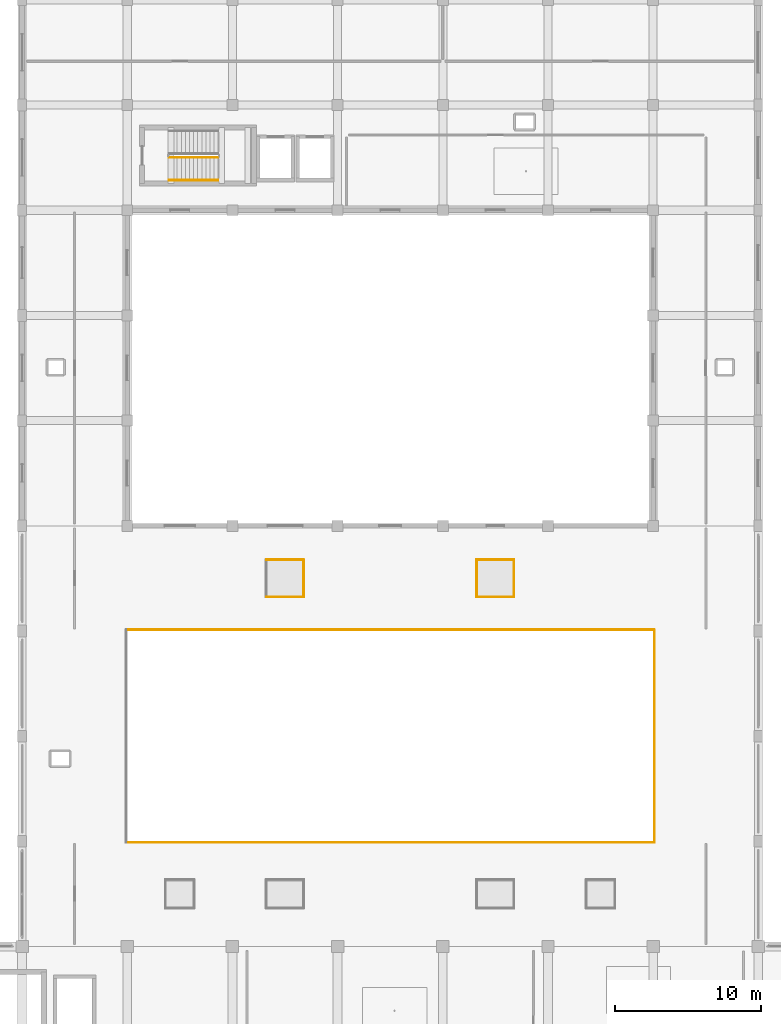
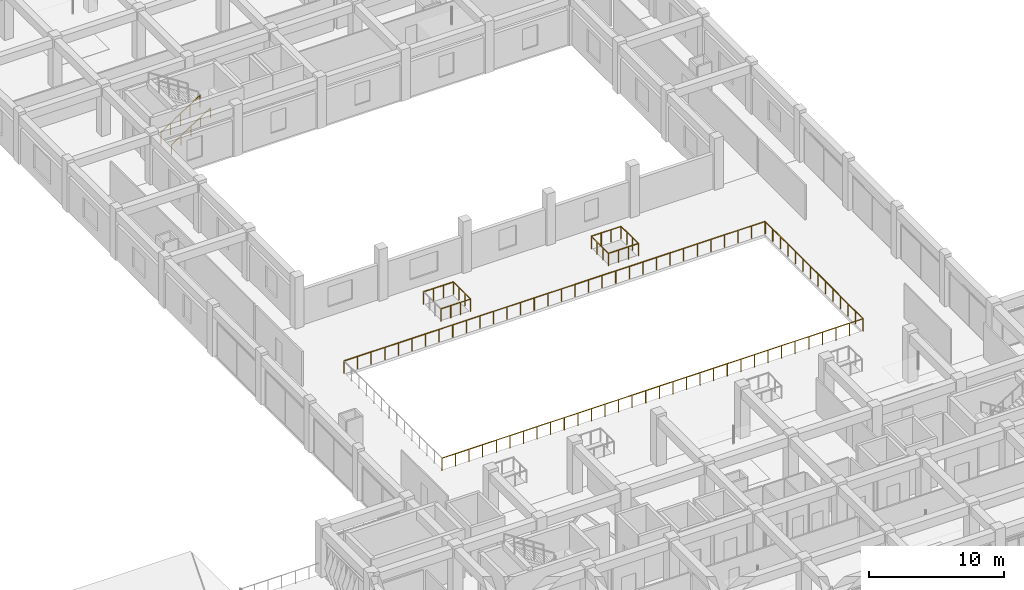
# One storey, part 53 of 55: 12 railings.
"""IFC4 building model written with IfcOpenShell, lengths in metres."""

from ifc_helpers import new_model, si_unit, direction, frame, origin, origin_2d, place, context, subcontext, project, spatial, circle, extrude, material, type_object, element, save


model = new_model("IFC4")

# Units and contexts
model_context = context("Model", 3, precision=1e-05, world=origin(), true_north=direction((0.0, 1.0)))
body_context = subcontext(model_context, "Body", "Model", "MODEL_VIEW")
ifc_project = project(units=[si_unit("LENGTHUNIT", "METRE"), si_unit("AREAUNIT", "SQUARE_METRE"), si_unit("VOLUMEUNIT", "CUBIC_METRE"), si_unit("PLANEANGLEUNIT", "RADIAN"), si_unit("MASSUNIT", "GRAM", prefix="KILO")], contexts=[model_context])

# Site, building, storey
site_placement = place(None, origin())
site = spatial("IfcSite", under=ifc_project, at=site_placement, CompositionType="ELEMENT")
building_placement = place(site_placement, origin())
building = spatial("IfcBuilding", under=site, at=building_placement, Name="Kazehaya Institute of Natural Sciences", CompositionType="ELEMENT")
storey_placement = place(building_placement, frame((0.0, 0.0, 15.1201171875)))
storey = spatial("IfcBuildingStorey", under=building, at=storey_placement, Name="L03", CompositionType="ELEMENT", Elevation=15.1201171875)

# Railings
ifc_material_1 = material(Name="Structural steel SN490B", Category="steel")
railing_type_1 = type_object("IfcRailingType", Name="RL-GUARD-VOID", PredefinedType="GUARDRAIL", material=ifc_material_1)
railing_1_placement = place(storey_placement, frame((78.52001953125, 59.52001953125, 0.0)))
element("IfcRailing", 1, at=railing_1_placement, inside=storey, type_object=railing_type_1, Name="L03 skylight 05 perimeter guard 1", PredefinedType="GUARDRAIL", context=body_context, shape_type="SweptSolid", body=[
    extrude(circle(Radius=0.02392578125, at=origin_2d()), frame((0.0, 0.0, 1.1259765625), z_axis=(1.0, 0.0, 0.0), x_axis=(0.0, 1.0, 0.0)), (0.0, 0.0, 1.0), 2.56005859375),
    extrude(circle(Radius=0.02099609375, at=origin_2d()), origin(), (0.0, 0.0, 1.0), 1.101806640625),
    extrude(circle(Radius=0.02099609375, at=origin_2d()), frame((0.853271484375, 0.0, 0.0)), (0.0, 0.0, 1.0), 1.101806640625),
    extrude(circle(Radius=0.02099609375, at=origin_2d()), frame((1.706787109375, 0.0, 0.0)), (0.0, 0.0, 1.0), 1.101806640625),
    extrude(circle(Radius=0.02099609375, at=origin_2d()), frame((2.56005859375, 0.0, 0.0)), (0.0, 0.0, 1.0), 1.101806640625),
])
railing_2_placement = place(storey_placement, frame((81.080078125, 59.52001953125, 0.0)))
element("IfcRailing", 2, at=railing_2_placement, inside=storey, type_object=railing_type_1, Name="L03 skylight 05 perimeter guard 2", PredefinedType="GUARDRAIL", context=body_context, shape_type="SweptSolid", body=[
    extrude(circle(Radius=0.02392578125, at=origin_2d()), frame((0.0, 0.0, 1.1259765625), z_axis=(0.0, 1.0, 0.0), x_axis=(-1.0, 0.0, 0.0)), (0.0, 0.0, 1.0), 2.56005859375),
    extrude(circle(Radius=0.02099609375, at=origin_2d()), origin(), (0.0, 0.0, 1.0), 1.101806640625),
    extrude(circle(Radius=0.02099609375, at=origin_2d()), frame((0.0, 0.853271484375, 0.0)), (0.0, 0.0, 1.0), 1.101806640625),
    extrude(circle(Radius=0.02099609375, at=origin_2d()), frame((0.0, 1.706787109375, 0.0)), (0.0, 0.0, 1.0), 1.101806640625),
    extrude(circle(Radius=0.02099609375, at=origin_2d()), frame((0.0, 2.56005859375, 0.0)), (0.0, 0.0, 1.0), 1.101806640625),
])
railing_3_placement = place(storey_placement, frame((81.080078125, 62.080078125, 0.0)))
element("IfcRailing", 3, at=railing_3_placement, inside=storey, type_object=railing_type_1, Name="L03 skylight 05 perimeter guard 3", PredefinedType="GUARDRAIL", context=body_context, shape_type="SweptSolid", body=[
    extrude(circle(Radius=0.02392578125, at=origin_2d()), frame((0.0, 0.0, 1.1259765625), z_axis=(-1.0, 0.0, 0.0), x_axis=(0.0, -1.0, 0.0)), (0.0, 0.0, 1.0), 2.56005859375),
    extrude(circle(Radius=0.02099609375, at=origin_2d()), origin(), (0.0, 0.0, 1.0), 1.101806640625),
    extrude(circle(Radius=0.02099609375, at=origin_2d()), frame((-0.853271484375, 0.0, 0.0)), (0.0, 0.0, 1.0), 1.101806640625),
    extrude(circle(Radius=0.02099609375, at=origin_2d()), frame((-1.706787109375, 0.0, 0.0)), (0.0, 0.0, 1.0), 1.101806640625),
    extrude(circle(Radius=0.02099609375, at=origin_2d()), frame((-2.56005859375, 0.0, 0.0)), (0.0, 0.0, 1.0), 1.101806640625),
])
railing_4_placement = place(storey_placement, frame((92.919921875, 59.52001953125, 0.0)))
element("IfcRailing", 4, at=railing_4_placement, inside=storey, type_object=railing_type_1, Name="L03 skylight 06 perimeter guard 1", PredefinedType="GUARDRAIL", context=body_context, shape_type="SweptSolid", body=[
    extrude(circle(Radius=0.02392578125, at=origin_2d()), frame((0.0, 0.0, 1.1259765625), z_axis=(1.0, 0.0, 0.0), x_axis=(0.0, 1.0, 0.0)), (0.0, 0.0, 1.0), 2.56005859375),
    extrude(circle(Radius=0.02099609375, at=origin_2d()), origin(), (0.0, 0.0, 1.0), 1.101806640625),
    extrude(circle(Radius=0.02099609375, at=origin_2d()), frame((0.853271484375, 0.0, 0.0)), (0.0, 0.0, 1.0), 1.101806640625),
    extrude(circle(Radius=0.02099609375, at=origin_2d()), frame((1.706787109375, 0.0, 0.0)), (0.0, 0.0, 1.0), 1.101806640625),
    extrude(circle(Radius=0.02099609375, at=origin_2d()), frame((2.56005859375, 0.0, 0.0)), (0.0, 0.0, 1.0), 1.101806640625),
])
railing_5_placement = place(storey_placement, frame((95.47998046875, 59.52001953125, 0.0)))
element("IfcRailing", 5, at=railing_5_placement, inside=storey, type_object=railing_type_1, Name="L03 skylight 06 perimeter guard 2", PredefinedType="GUARDRAIL", context=body_context, shape_type="SweptSolid", body=[
    extrude(circle(Radius=0.02392578125, at=origin_2d()), frame((0.0, 0.0, 1.1259765625), z_axis=(0.0, 1.0, 0.0), x_axis=(-1.0, 0.0, 0.0)), (0.0, 0.0, 1.0), 2.56005859375),
    extrude(circle(Radius=0.02099609375, at=origin_2d()), origin(), (0.0, 0.0, 1.0), 1.101806640625),
    extrude(circle(Radius=0.02099609375, at=origin_2d()), frame((0.0, 0.853271484375, 0.0)), (0.0, 0.0, 1.0), 1.101806640625),
    extrude(circle(Radius=0.02099609375, at=origin_2d()), frame((0.0, 1.706787109375, 0.0)), (0.0, 0.0, 1.0), 1.101806640625),
    extrude(circle(Radius=0.02099609375, at=origin_2d()), frame((0.0, 2.56005859375, 0.0)), (0.0, 0.0, 1.0), 1.101806640625),
])
railing_6_placement = place(storey_placement, frame((95.47998046875, 62.080078125, 0.0)))
element("IfcRailing", 6, at=railing_6_placement, inside=storey, type_object=railing_type_1, Name="L03 skylight 06 perimeter guard 3", PredefinedType="GUARDRAIL", context=body_context, shape_type="SweptSolid", body=[
    extrude(circle(Radius=0.02392578125, at=origin_2d()), frame((0.0, 0.0, 1.1259765625), z_axis=(-1.0, 0.0, 0.0), x_axis=(0.0, -1.0, 0.0)), (0.0, 0.0, 1.0), 2.56005859375),
    extrude(circle(Radius=0.02099609375, at=origin_2d()), origin(), (0.0, 0.0, 1.0), 1.101806640625),
    extrude(circle(Radius=0.02099609375, at=origin_2d()), frame((-0.853271484375, 0.0, 0.0)), (0.0, 0.0, 1.0), 1.101806640625),
    extrude(circle(Radius=0.02099609375, at=origin_2d()), frame((-1.706787109375, 0.0, 0.0)), (0.0, 0.0, 1.0), 1.101806640625),
    extrude(circle(Radius=0.02099609375, at=origin_2d()), frame((-2.56005859375, 0.0, 0.0)), (0.0, 0.0, 1.0), 1.101806640625),
])
railing_7_placement = place(storey_placement, frame((92.919921875, 62.080078125, 0.0)))
element("IfcRailing", 7, at=railing_7_placement, inside=storey, type_object=railing_type_1, Name="L03 skylight 06 perimeter guard 4", PredefinedType="GUARDRAIL", context=body_context, shape_type="SweptSolid", body=[
    extrude(circle(Radius=0.02392578125, at=origin_2d()), frame((0.0, 0.0, 1.1259765625), z_axis=(0.0, -1.0, 0.0), x_axis=(1.0, 0.0, 0.0)), (0.0, 0.0, 1.0), 2.56005859375),
    extrude(circle(Radius=0.02099609375, at=origin_2d()), origin(), (0.0, 0.0, 1.0), 1.101806640625),
    extrude(circle(Radius=0.02099609375, at=origin_2d()), frame((0.0, -0.853271484375, 0.0)), (0.0, 0.0, 1.0), 1.101806640625),
    extrude(circle(Radius=0.02099609375, at=origin_2d()), frame((0.0, -1.706787109375, 0.0)), (0.0, 0.0, 1.0), 1.101806640625),
    extrude(circle(Radius=0.02099609375, at=origin_2d()), frame((0.0, -2.56005859375, 0.0)), (0.0, 0.0, 1.0), 1.101806640625),
])
railing_8_placement = place(storey_placement, frame((68.919921875, 42.719970703125, 0.0)))
element("IfcRailing", 8, at=railing_8_placement, inside=storey, type_object=railing_type_1, Name="L03 void guard GRD-L03-044", PredefinedType="GUARDRAIL", context=body_context, shape_type="SweptSolid", body=[
    extrude(circle(Radius=0.02392578125, at=origin_2d()), frame((0.0, 0.0, 1.1259765625), z_axis=(1.0, 0.0, 0.0), x_axis=(0.0, 1.0, 0.0)), (0.0, 0.0, 1.0), 36.16015625),
    extrude(circle(Radius=0.02099609375, at=origin_2d()), origin(), (0.0, 0.0, 1.0), 1.101806640625),
    extrude(circle(Radius=0.02099609375, at=origin_2d()), frame((1.16650390625, 0.0, 0.0)), (0.0, 0.0, 1.0), 1.101806640625),
    extrude(circle(Radius=0.02099609375, at=origin_2d()), frame((2.3330078125, 0.0, 0.0)), (0.0, 0.0, 1.0), 1.101806640625),
    extrude(circle(Radius=0.02099609375, at=origin_2d()), frame((3.499267578125, 0.0, 0.0)), (0.0, 0.0, 1.0), 1.101806640625),
    extrude(circle(Radius=0.02099609375, at=origin_2d()), frame((4.665771484375, 0.0, 0.0)), (0.0, 0.0, 1.0), 1.101806640625),
    extrude(circle(Radius=0.02099609375, at=origin_2d()), frame((5.832275390625, 0.0, 0.0)), (0.0, 0.0, 1.0), 1.101806640625),
    extrude(circle(Radius=0.02099609375, at=origin_2d()), frame((6.998779296875, 0.0, 0.0)), (0.0, 0.0, 1.0), 1.101806640625),
    extrude(circle(Radius=0.02099609375, at=origin_2d()), frame((8.165283203125, 0.0, 0.0)), (0.0, 0.0, 1.0), 1.101806640625),
    extrude(circle(Radius=0.02099609375, at=origin_2d()), frame((9.33154296875, 0.0, 0.0)), (0.0, 0.0, 1.0), 1.101806640625),
    extrude(circle(Radius=0.02099609375, at=origin_2d()), frame((10.498046875, 0.0, 0.0)), (0.0, 0.0, 1.0), 1.101806640625),
    extrude(circle(Radius=0.02099609375, at=origin_2d()), frame((11.66455078125, 0.0, 0.0)), (0.0, 0.0, 1.0), 1.101806640625),
    extrude(circle(Radius=0.02099609375, at=origin_2d()), frame((12.8310546875, 0.0, 0.0)), (0.0, 0.0, 1.0), 1.101806640625),
    extrude(circle(Radius=0.02099609375, at=origin_2d()), frame((13.99755859375, 0.0, 0.0)), (0.0, 0.0, 1.0), 1.101806640625),
    extrude(circle(Radius=0.02099609375, at=origin_2d()), frame((15.163818359375, 0.0, 0.0)), (0.0, 0.0, 1.0), 1.101806640625),
    extrude(circle(Radius=0.02099609375, at=origin_2d()), frame((16.330322265625, 0.0, 0.0)), (0.0, 0.0, 1.0), 1.101806640625),
    extrude(circle(Radius=0.02099609375, at=origin_2d()), frame((17.496826171875, 0.0, 0.0)), (0.0, 0.0, 1.0), 1.101806640625),
    extrude(circle(Radius=0.02099609375, at=origin_2d()), frame((18.663330078125, 0.0, 0.0)), (0.0, 0.0, 1.0), 1.101806640625),
    extrude(circle(Radius=0.02099609375, at=origin_2d()), frame((19.829833984375, 0.0, 0.0)), (0.0, 0.0, 1.0), 1.101806640625),
    extrude(circle(Radius=0.02099609375, at=origin_2d()), frame((20.996337890625, 0.0, 0.0)), (0.0, 0.0, 1.0), 1.101806640625),
    extrude(circle(Radius=0.02099609375, at=origin_2d()), frame((22.16259765625, 0.0, 0.0)), (0.0, 0.0, 1.0), 1.101806640625),
    extrude(circle(Radius=0.02099609375, at=origin_2d()), frame((23.3291015625, 0.0, 0.0)), (0.0, 0.0, 1.0), 1.101806640625),
    extrude(circle(Radius=0.02099609375, at=origin_2d()), frame((24.49560546875, 0.0, 0.0)), (0.0, 0.0, 1.0), 1.101806640625),
    extrude(circle(Radius=0.02099609375, at=origin_2d()), frame((25.662109375, 0.0, 0.0)), (0.0, 0.0, 1.0), 1.101806640625),
    extrude(circle(Radius=0.02099609375, at=origin_2d()), frame((26.82861328125, 0.0, 0.0)), (0.0, 0.0, 1.0), 1.101806640625),
    extrude(circle(Radius=0.02099609375, at=origin_2d()), frame((27.994873046875, 0.0, 0.0)), (0.0, 0.0, 1.0), 1.101806640625),
    extrude(circle(Radius=0.02099609375, at=origin_2d()), frame((29.161376953125, 0.0, 0.0)), (0.0, 0.0, 1.0), 1.101806640625),
    extrude(circle(Radius=0.02099609375, at=origin_2d()), frame((30.327880859375, 0.0, 0.0)), (0.0, 0.0, 1.0), 1.101806640625),
    extrude(circle(Radius=0.02099609375, at=origin_2d()), frame((31.494384765625, 0.0, 0.0)), (0.0, 0.0, 1.0), 1.101806640625),
    extrude(circle(Radius=0.02099609375, at=origin_2d()), frame((32.660888671875, 0.0, 0.0)), (0.0, 0.0, 1.0), 1.101806640625),
    extrude(circle(Radius=0.02099609375, at=origin_2d()), frame((33.8271484375, 0.0, 0.0)), (0.0, 0.0, 1.0), 1.101806640625),
    extrude(circle(Radius=0.02099609375, at=origin_2d()), frame((34.99365234375, 0.0, 0.0)), (0.0, 0.0, 1.0), 1.101806640625),
    extrude(circle(Radius=0.02099609375, at=origin_2d()), frame((36.16015625, 0.0, 0.0)), (0.0, 0.0, 1.0), 1.101806640625),
])
railing_9_placement = place(storey_placement, frame((68.919921875, 57.280029296875, 0.0)))
element("IfcRailing", 9, at=railing_9_placement, inside=storey, type_object=railing_type_1, Name="L03 void guard GRD-L03-045", PredefinedType="GUARDRAIL", context=body_context, shape_type="SweptSolid", body=[
    extrude(circle(Radius=0.02392578125, at=origin_2d()), frame((0.0, 0.0, 1.1259765625), z_axis=(1.0, 0.0, 0.0), x_axis=(0.0, 1.0, 0.0)), (0.0, 0.0, 1.0), 36.16015625),
    extrude(circle(Radius=0.02099609375, at=origin_2d()), origin(), (0.0, 0.0, 1.0), 1.101806640625),
    extrude(circle(Radius=0.02099609375, at=origin_2d()), frame((1.16650390625, 0.0, 0.0)), (0.0, 0.0, 1.0), 1.101806640625),
    extrude(circle(Radius=0.02099609375, at=origin_2d()), frame((2.3330078125, 0.0, 0.0)), (0.0, 0.0, 1.0), 1.101806640625),
    extrude(circle(Radius=0.02099609375, at=origin_2d()), frame((3.499267578125, 0.0, 0.0)), (0.0, 0.0, 1.0), 1.101806640625),
    extrude(circle(Radius=0.02099609375, at=origin_2d()), frame((4.665771484375, 0.0, 0.0)), (0.0, 0.0, 1.0), 1.101806640625),
    extrude(circle(Radius=0.02099609375, at=origin_2d()), frame((5.832275390625, 0.0, 0.0)), (0.0, 0.0, 1.0), 1.101806640625),
    extrude(circle(Radius=0.02099609375, at=origin_2d()), frame((6.998779296875, 0.0, 0.0)), (0.0, 0.0, 1.0), 1.101806640625),
    extrude(circle(Radius=0.02099609375, at=origin_2d()), frame((8.165283203125, 0.0, 0.0)), (0.0, 0.0, 1.0), 1.101806640625),
    extrude(circle(Radius=0.02099609375, at=origin_2d()), frame((9.33154296875, 0.0, 0.0)), (0.0, 0.0, 1.0), 1.101806640625),
    extrude(circle(Radius=0.02099609375, at=origin_2d()), frame((10.498046875, 0.0, 0.0)), (0.0, 0.0, 1.0), 1.101806640625),
    extrude(circle(Radius=0.02099609375, at=origin_2d()), frame((11.66455078125, 0.0, 0.0)), (0.0, 0.0, 1.0), 1.101806640625),
    extrude(circle(Radius=0.02099609375, at=origin_2d()), frame((12.8310546875, 0.0, 0.0)), (0.0, 0.0, 1.0), 1.101806640625),
    extrude(circle(Radius=0.02099609375, at=origin_2d()), frame((13.99755859375, 0.0, 0.0)), (0.0, 0.0, 1.0), 1.101806640625),
    extrude(circle(Radius=0.02099609375, at=origin_2d()), frame((15.163818359375, 0.0, 0.0)), (0.0, 0.0, 1.0), 1.101806640625),
    extrude(circle(Radius=0.02099609375, at=origin_2d()), frame((16.330322265625, 0.0, 0.0)), (0.0, 0.0, 1.0), 1.101806640625),
    extrude(circle(Radius=0.02099609375, at=origin_2d()), frame((17.496826171875, 0.0, 0.0)), (0.0, 0.0, 1.0), 1.101806640625),
    extrude(circle(Radius=0.02099609375, at=origin_2d()), frame((18.663330078125, 0.0, 0.0)), (0.0, 0.0, 1.0), 1.101806640625),
    extrude(circle(Radius=0.02099609375, at=origin_2d()), frame((19.829833984375, 0.0, 0.0)), (0.0, 0.0, 1.0), 1.101806640625),
    extrude(circle(Radius=0.02099609375, at=origin_2d()), frame((20.996337890625, 0.0, 0.0)), (0.0, 0.0, 1.0), 1.101806640625),
    extrude(circle(Radius=0.02099609375, at=origin_2d()), frame((22.16259765625, 0.0, 0.0)), (0.0, 0.0, 1.0), 1.101806640625),
    extrude(circle(Radius=0.02099609375, at=origin_2d()), frame((23.3291015625, 0.0, 0.0)), (0.0, 0.0, 1.0), 1.101806640625),
    extrude(circle(Radius=0.02099609375, at=origin_2d()), frame((24.49560546875, 0.0, 0.0)), (0.0, 0.0, 1.0), 1.101806640625),
    extrude(circle(Radius=0.02099609375, at=origin_2d()), frame((25.662109375, 0.0, 0.0)), (0.0, 0.0, 1.0), 1.101806640625),
    extrude(circle(Radius=0.02099609375, at=origin_2d()), frame((26.82861328125, 0.0, 0.0)), (0.0, 0.0, 1.0), 1.101806640625),
    extrude(circle(Radius=0.02099609375, at=origin_2d()), frame((27.994873046875, 0.0, 0.0)), (0.0, 0.0, 1.0), 1.101806640625),
    extrude(circle(Radius=0.02099609375, at=origin_2d()), frame((29.161376953125, 0.0, 0.0)), (0.0, 0.0, 1.0), 1.101806640625),
    extrude(circle(Radius=0.02099609375, at=origin_2d()), frame((30.327880859375, 0.0, 0.0)), (0.0, 0.0, 1.0), 1.101806640625),
    extrude(circle(Radius=0.02099609375, at=origin_2d()), frame((31.494384765625, 0.0, 0.0)), (0.0, 0.0, 1.0), 1.101806640625),
    extrude(circle(Radius=0.02099609375, at=origin_2d()), frame((32.660888671875, 0.0, 0.0)), (0.0, 0.0, 1.0), 1.101806640625),
    extrude(circle(Radius=0.02099609375, at=origin_2d()), frame((33.8271484375, 0.0, 0.0)), (0.0, 0.0, 1.0), 1.101806640625),
    extrude(circle(Radius=0.02099609375, at=origin_2d()), frame((34.99365234375, 0.0, 0.0)), (0.0, 0.0, 1.0), 1.101806640625),
    extrude(circle(Radius=0.02099609375, at=origin_2d()), frame((36.16015625, 0.0, 0.0)), (0.0, 0.0, 1.0), 1.101806640625),
])
railing_10_placement = place(storey_placement, frame((105.080078125, 42.719970703125, 0.0)))
element("IfcRailing", 10, at=railing_10_placement, inside=storey, type_object=railing_type_1, Name="L03 void guard GRD-L03-047", PredefinedType="GUARDRAIL", context=body_context, shape_type="SweptSolid", body=[
    extrude(circle(Radius=0.02392578125, at=origin_2d()), frame((0.0, 0.0, 1.1259765625), z_axis=(0.0, 1.0, 0.0), x_axis=(-1.0, 0.0, 0.0)), (0.0, 0.0, 1.0), 14.56005859375),
    extrude(circle(Radius=0.02099609375, at=origin_2d()), origin(), (0.0, 0.0, 1.0), 1.101806640625),
    extrude(circle(Radius=0.02099609375, at=origin_2d()), frame((0.0, 1.1201171875, 0.0)), (0.0, 0.0, 1.0), 1.101806640625),
    extrude(circle(Radius=0.02099609375, at=origin_2d()), frame((0.0, 2.239990234375, 0.0)), (0.0, 0.0, 1.0), 1.101806640625),
    extrude(circle(Radius=0.02099609375, at=origin_2d()), frame((0.0, 3.360107421875, 0.0)), (0.0, 0.0, 1.0), 1.101806640625),
    extrude(circle(Radius=0.02099609375, at=origin_2d()), frame((0.0, 4.47998046875, 0.0)), (0.0, 0.0, 1.0), 1.101806640625),
    extrude(circle(Radius=0.02099609375, at=origin_2d()), frame((0.0, 5.60009765625, 0.0)), (0.0, 0.0, 1.0), 1.101806640625),
    extrude(circle(Radius=0.02099609375, at=origin_2d()), frame((0.0, 6.719970703125, 0.0)), (0.0, 0.0, 1.0), 1.101806640625),
    extrude(circle(Radius=0.02099609375, at=origin_2d()), frame((0.0, 7.840087890625, 0.0)), (0.0, 0.0, 1.0), 1.101806640625),
    extrude(circle(Radius=0.02099609375, at=origin_2d()), frame((0.0, 8.9599609375, 0.0)), (0.0, 0.0, 1.0), 1.101806640625),
    extrude(circle(Radius=0.02099609375, at=origin_2d()), frame((0.0, 10.080078125, 0.0)), (0.0, 0.0, 1.0), 1.101806640625),
    extrude(circle(Radius=0.02099609375, at=origin_2d()), frame((0.0, 11.199951171875, 0.0)), (0.0, 0.0, 1.0), 1.101806640625),
    extrude(circle(Radius=0.02099609375, at=origin_2d()), frame((0.0, 12.320068359375, 0.0)), (0.0, 0.0, 1.0), 1.101806640625),
    extrude(circle(Radius=0.02099609375, at=origin_2d()), frame((0.0, 13.43994140625, 0.0)), (0.0, 0.0, 1.0), 1.101806640625),
    extrude(circle(Radius=0.02099609375, at=origin_2d()), frame((0.0, 14.56005859375, 0.0)), (0.0, 0.0, 1.0), 1.101806640625),
])
railing_type_2 = type_object("IfcRailingType", Name="RL-STAIR-GRD", PredefinedType="GUARDRAIL", material=ifc_material_1)
railing_11_placement = place(storey_placement, frame((71.860107421875, 89.610107421875, 0.179931640625)))
element("IfcRailing", 11, at=railing_11_placement, inside=storey, type_object=railing_type_2, Name="L03 ST-3 stair guard 1", PredefinedType="GUARDRAIL", context=body_context, shape_type="SweptSolid", body=[
    extrude(circle(Radius=0.02392578125, at=origin_2d()), frame((0.0, 0.0, 1.076171875), z_axis=(0.841178475377, 0.0, 0.540757591313), x_axis=(0.0, 1.0, 0.0)), (0.0, 0.0, 1.0), 3.994140625),
    extrude(circle(Radius=0.02099609375, at=origin_2d()), origin(), (0.0, 0.0, 1.0), 1.052001953125),
    extrude(circle(Radius=0.02099609375, at=origin_2d()), frame((0.83984375, 0.0, 0.5400390625)), (0.0, 0.0, 1.0), 1.052001953125),
    extrude(circle(Radius=0.02099609375, at=origin_2d()), frame((1.679931640625, 0.0, 1.080078125)), (0.0, 0.0, 1.0), 1.052001953125),
    extrude(circle(Radius=0.02099609375, at=origin_2d()), frame((2.52001953125, 0.0, 1.619873046875)), (0.0, 0.0, 1.0), 1.052001953125),
    extrude(circle(Radius=0.02099609375, at=origin_2d()), frame((3.35986328125, 0.0, 2.159912109375)), (0.0, 0.0, 1.0), 1.052001953125),
])
ifc_material_2 = material(Name="Brushed stainless steel handrail", Category="steel")
railing_type_3 = type_object("IfcRailingType", Name="RL-STAIR-HND", PredefinedType="HANDRAIL", material=ifc_material_2)
railing_12_placement = place(storey_placement, frame((71.860107421875, 88.050048828125, 0.179931640625)))
element("IfcRailing", 12, at=railing_12_placement, inside=storey, type_object=railing_type_3, Name="L03 ST-3 stair handrail 1", PredefinedType="HANDRAIL", context=body_context, shape_type="SweptSolid", body=[
    extrude(circle(Radius=0.02392578125, at=origin_2d()), frame((0.0, 0.0, 0.8759765625), z_axis=(0.841178475377, 0.0, 0.540757591313), x_axis=(0.0, 1.0, 0.0)), (0.0, 0.0, 1.0), 3.994140625),
    extrude(circle(Radius=0.02099609375, at=origin_2d()), origin(), (0.0, 0.0, 1.0), 0.851806640625),
    extrude(circle(Radius=0.02099609375, at=origin_2d()), frame((0.83984375, 0.0, 0.5400390625)), (0.0, 0.0, 1.0), 0.851806640625),
    extrude(circle(Radius=0.02099609375, at=origin_2d()), frame((1.679931640625, 0.0, 1.080078125)), (0.0, 0.0, 1.0), 0.851806640625),
    extrude(circle(Radius=0.02099609375, at=origin_2d()), frame((2.52001953125, 0.0, 1.619873046875)), (0.0, 0.0, 1.0), 0.851806640625),
    extrude(circle(Radius=0.02099609375, at=origin_2d()), frame((3.35986328125, 0.0, 2.159912109375)), (0.0, 0.0, 1.0), 0.851806640625),
])

save(model, "model.ifc")
